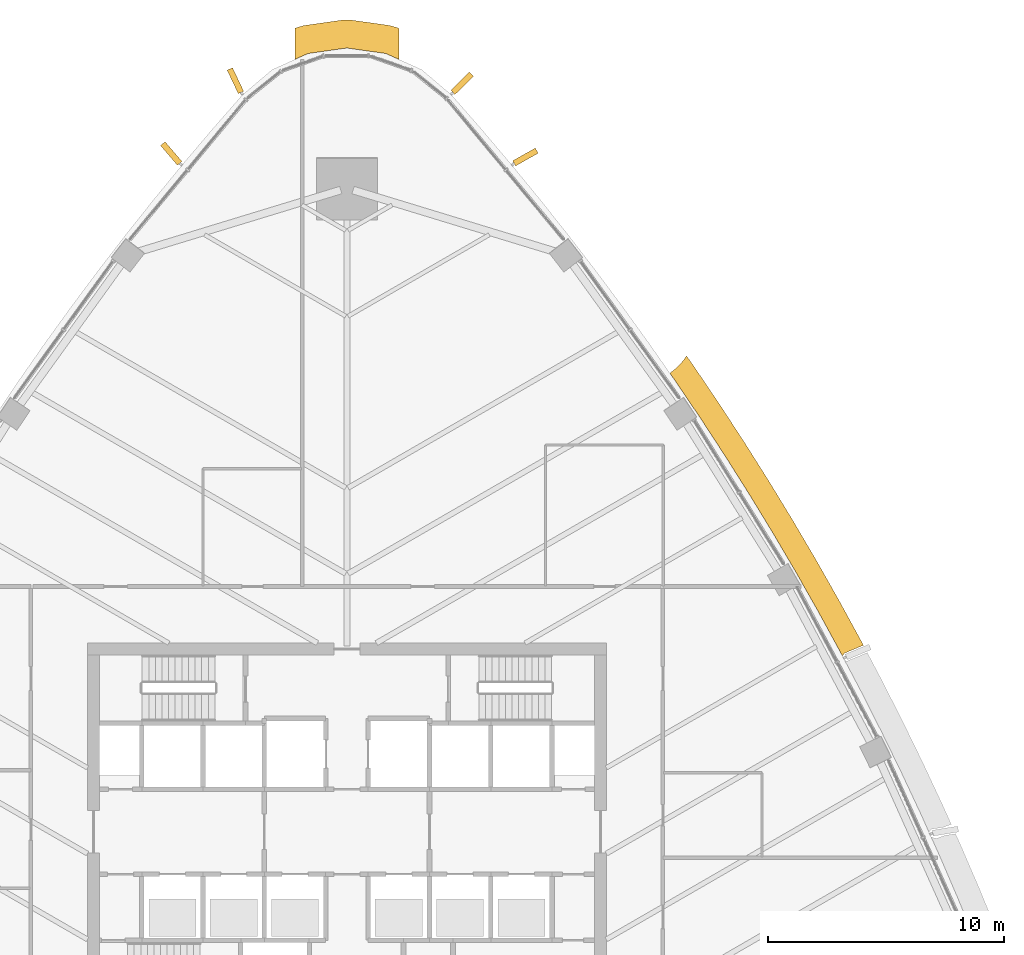
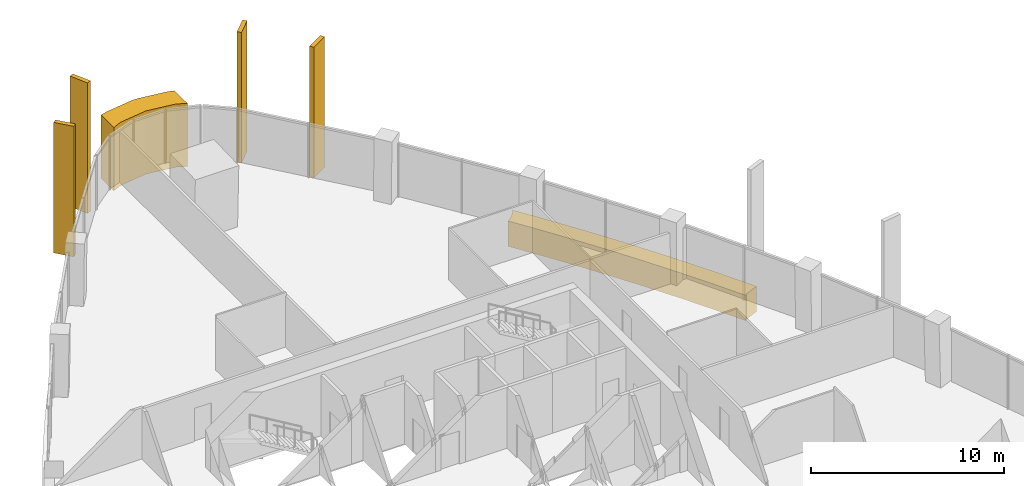
# One storey, part 18 of 19: 6 coverings.
"""IFC4 building model written with IfcOpenShell, lengths in metres."""

from ifc_helpers import new_model, si_unit, direction, frame, origin, origin_2d, place, context, subcontext, project, spatial, polyline, rectangle, outline, extrude, material, layer, layer_set, material_profile, profile_set, type_object, element, save


model = new_model("IFC4")

# Units and contexts
model_context = context("Model", 3, precision=1e-05, world=origin(), true_north=direction((0.0, 1.0)))
body_context = subcontext(model_context, "Body", "Model", "MODEL_VIEW")
ifc_project = project(units=[si_unit("LENGTHUNIT", "METRE"), si_unit("AREAUNIT", "SQUARE_METRE"), si_unit("VOLUMEUNIT", "CUBIC_METRE"), si_unit("PLANEANGLEUNIT", "RADIAN"), si_unit("MASSUNIT", "GRAM", prefix="KILO")], contexts=[model_context])

# Site, building, storey
site_placement = place(None, origin())
site = spatial("IfcSite", under=ifc_project, at=site_placement, CompositionType="ELEMENT")
building_placement = place(site_placement, origin())
building = spatial("IfcBuilding", under=site, at=building_placement, Name="Sierra Prisma Convention Tower", CompositionType="ELEMENT")
storey_placement = place(building_placement, frame((0.0, 0.0, 177.800048828125)))
storey = spatial("IfcBuildingStorey", under=building, at=storey_placement, Name="L39", CompositionType="ELEMENT", Elevation=177.800048828125)

# Coverings
ifc_material_1 = material(Name="Aluminium composite bronze anodised", Category="aluminium")
ifc_layer_1 = layer(ifc_material_1, 1.199951171875)
ifc_layer_set_1 = layer_set([ifc_layer_1], Name="Bronze corner pier")
covering_type_1 = type_object("IfcCoveringType", Name="Bronze corner pier", PredefinedType="CLADDING", material=ifc_layer_set_1)
covering_1_placement = place(storey_placement, frame((0.0, 0.0, -0.60009765625)))
element("IfcCovering", 1, at=covering_1_placement, inside=storey, type_object=covering_type_1, Name="Corner pier N L39.1", PredefinedType="CLADDING", context=body_context, shape_type="SweptSolid", body=[
    extrude(outline(polyline([(-2.142822265625, 34.094970703125), (-1.8193359375, 34.1884765625), (-0.16845703125, 34.42236328125), (0.16845703125, 34.42236328125), (1.8193359375, 34.1884765625), (2.142822265625, 34.094970703125), (2.199951171875, 34.069091796875), (2.199951171875, 32.753662109375), (1.65087890625, 33.000244140625), (0.0, 33.234375), (-1.65087890625, 33.000244140625), (-2.199951171875, 32.753662109375), (-2.199951171875, 34.069091796875), (-2.142822265625, 34.094970703125)])), origin(), (0.0, 0.0, 1.0), 4.0),
])
ifc_material_2 = material(Name="Aluminium 6063-T6 bronze anodised", Category="aluminium")
ifc_material_profile = material_profile(ifc_material_2, rectangle(XDim=1.10009765625, YDim=0.25, at=origin_2d()), Name="ALU FIN 1100x250")
ifc_profile_set = profile_set([ifc_material_profile], Name="Aluminium 6063-T6 bronze anodised")
covering_type_2 = type_object("IfcCoveringType", Name="Bronze facade fin", PredefinedType="CLADDING", material=ifc_profile_set)
for number, where, z_axis, x_axis, name in (
    (2, (7.5703125, 28.61279296875, -0.300048828125), (0.0, 0.0, 1.0), (0.87140779893, 0.490559321555, 0.0), "Fin L39.39"),
    (3, (4.885498046875, 31.73876953125, -0.300048828125), (0.0, 0.0, 1.0), (0.711105774414, 0.703085042933, 0.0), "Fin L39.40"),
    (4, (-4.7294921875, 31.84912109375, -0.300048828125), (0.0, 0.0, 1.0), (-0.427751601661, 0.903896325513, 0.0), "Fin L39.45"),
    (5, (-7.448974609375, 28.76025390625, -0.300048828125), (0.0, 0.0, 1.0), (-0.651074308882, 0.759013994808, 0.0), "Fin L39.46"),
):
    element("IfcCovering", number, at=place(storey_placement, frame(where, z_axis=z_axis, x_axis=x_axis)), inside=storey, type_object=covering_type_2, Name=name, ObjectType="FIN", PredefinedType="CLADDING", context=body_context, shape_type="SweptSolid", body=[
        extrude(rectangle(XDim=1.10009765625, YDim=0.25, at=origin_2d()), origin(), (0.0, 0.0, 1.0), 8.25),
    ])
ifc_material_3 = material(Name="Aluminium composite bronze anodised", Category="aluminium")
ifc_layer_2 = layer(ifc_material_3, 1.0)
ifc_layer_set_2 = layer_set([ifc_layer_2], Name="Bronze spandrel band")
covering_type_3 = type_object("IfcCoveringType", Name="Bronze spandrel band", PredefinedType="CLADDING", material=ifc_layer_set_2)
covering_2_placement = place(storey_placement, frame((0.0, 0.0, -1.60009765625)))
element("IfcCovering", 6, at=covering_2_placement, inside=storey, type_object=covering_type_3, Name="Spandrel band L39.3", PredefinedType="CLADDING", context=body_context, shape_type="SweptSolid", body=[
    extrude(outline(polyline([(15.822509765625, 18.09326171875), (15.8310546875, 18.080078125), (16.882080078125, 16.469482421875), (16.890380859375, 16.45654296875), (17.916259765625, 14.82958984375), (17.92431640625, 14.81640625), (18.9248046875, 13.173828125), (18.9326171875, 13.160400390625), (19.9072265625, 11.50244140625), (19.9150390625, 11.489013671875), (20.863525390625, 9.81591796875), (20.87109375, 9.80224609375), (21.793701171875, 8.11474609375), (21.801025390625, 8.10107421875), (21.902099609375, 7.90869140625), (21.101806640625, 7.57275390625), (21.097412109375, 7.570556640625), (21.093017578125, 7.568115234375), (21.0888671875, 7.56494140625), (21.085205078125, 7.5615234375), (21.081787109375, 7.5576171875), (21.0791015625, 7.5537109375), (21.01318359375, 7.45068359375), (20.916015625, 7.63525390625), (19.99365234375, 9.32275390625), (19.045166015625, 10.99560546875), (18.070556640625, 12.65380859375), (17.0703125, 14.29638671875), (16.044677734375, 15.923095703125), (14.99365234375, 17.53369140625), (13.91748046875, 19.127685546875), (13.693603515625, 19.44873046875), (13.752197265625, 19.4912109375), (13.9453125, 19.6455078125), (14.12255859375, 19.818115234375), (14.281982421875, 20.007080078125), (14.40185546875, 20.181396484375), (14.737548828125, 19.7001953125), (14.74658203125, 19.687255859375), (15.822509765625, 18.09326171875)])), origin(), (0.0, 0.0, 1.0), 1.60009765625),
])

save(model, "model.ifc")
